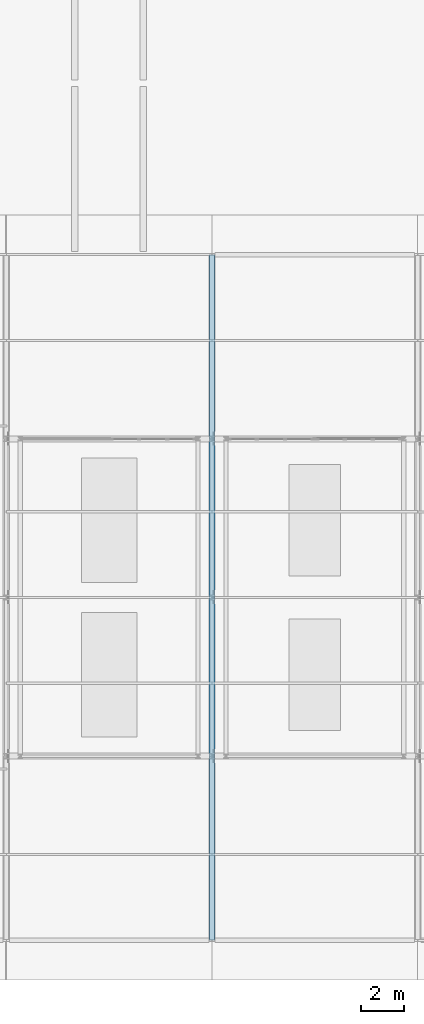
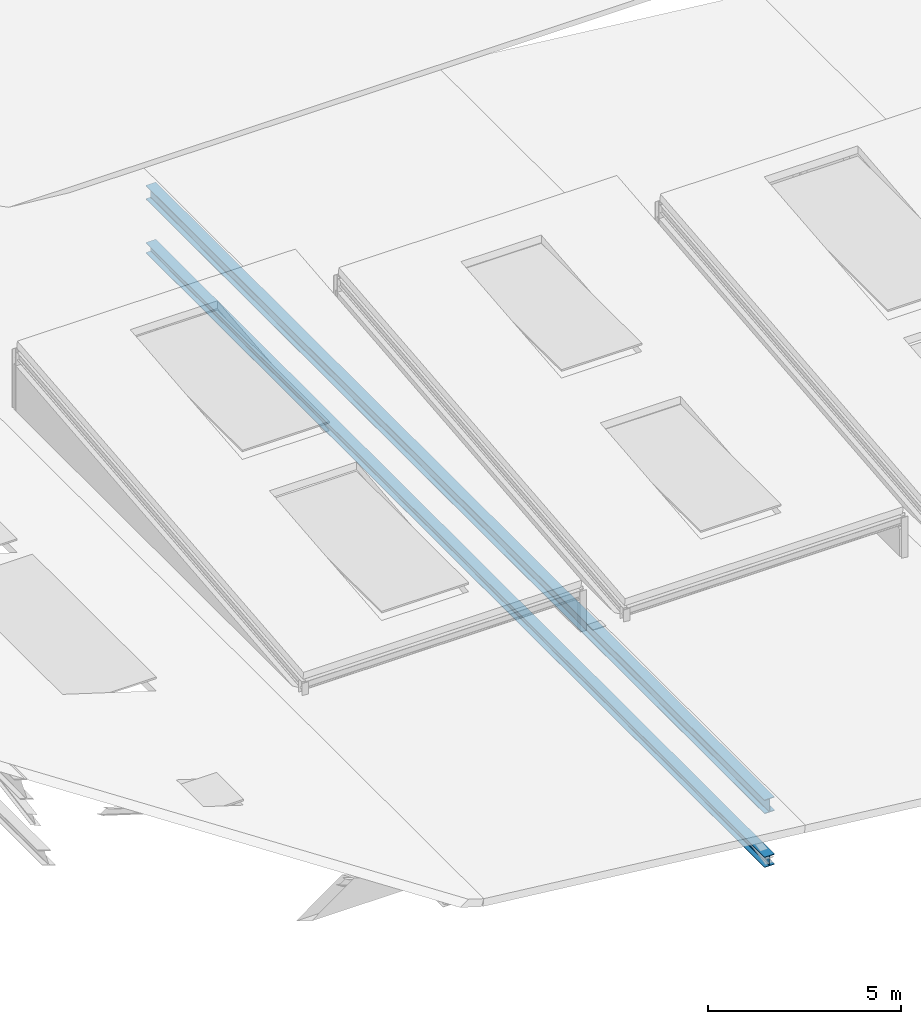
# One storey, part 8 of 30: 2 beams.
"""IFC4 building model written with IfcOpenShell, lengths in metres."""

from ifc_helpers import new_model, si_unit, direction, frame, origin, origin_2d, place, context, subcontext, project, spatial, i_section, extrude, material, material_profile, profile_set, type_object, element, save


model = new_model("IFC4")

# Units and contexts
model_context = context("Model", 3, precision=1e-05, world=origin(), true_north=direction((0.0, 1.0)))
body_context = subcontext(model_context, "Body", "Model", "MODEL_VIEW")
ifc_project = project(units=[si_unit("LENGTHUNIT", "METRE"), si_unit("AREAUNIT", "SQUARE_METRE"), si_unit("VOLUMEUNIT", "CUBIC_METRE"), si_unit("PLANEANGLEUNIT", "RADIAN"), si_unit("MASSUNIT", "GRAM", prefix="KILO")], contexts=[model_context])

# Site, building, storey
site_placement = place(None, origin())
site = spatial("IfcSite", under=ifc_project, at=site_placement, CompositionType="ELEMENT")
building_placement = place(site_placement, origin())
building = spatial("IfcBuilding", under=site, at=building_placement, Name="Alderhovde Museum", CompositionType="ELEMENT")
storey_placement = place(building_placement, frame((0.0, 0.0, 30.699951171875)))
storey = spatial("IfcBuildingStorey", under=building, at=storey_placement, Name="RF", CompositionType="ELEMENT", Elevation=30.699951171875)

# Beams
ifc_material_1 = material(Name="Steel S355J2", Category="steel")
ifc_material_profile_1 = material_profile(ifc_material_1, i_section(OverallWidth=0.300048828125, OverallDepth=0.330078125, WebThickness=0.009521484375, FlangeThickness=0.0166015625, FilletRadius=0.027099609375, at=origin_2d()), Name="HEA 340")
ifc_profile_set_1 = profile_set([ifc_material_profile_1], Name="Steel S355J2")
beam_type_1 = type_object("IfcBeamType", Name="BM-HEA340", PredefinedType="BEAM", material=ifc_profile_set_1)
beam_1_placement = place(storey_placement, frame((28.800048828125, 48.0, -4.558349609375), z_axis=(0.0, 1.0, 0.0), x_axis=(-1.0, 0.0, 0.0)))
element("IfcBeam", 1, at=beam_1_placement, inside=storey, type_object=beam_type_1, Name="Sawtooth Roof Truss X=28.8 Continuous Bottom Chord", PredefinedType="BEAM", context=body_context, shape_type="SweptSolid", body=[
    extrude(i_section(OverallWidth=0.300048828125, OverallDepth=0.330078125, WebThickness=0.009521484375, FlangeThickness=0.0166015625, FilletRadius=0.027099609375, at=origin_2d()), origin(), (0.0, 0.0, 1.0), 32.0),
])
ifc_material_2 = material(Name="Steel S355J2", Category="steel")
ifc_material_profile_2 = material_profile(ifc_material_2, i_section(OverallWidth=0.300048828125, OverallDepth=0.43994140625, WebThickness=0.011474609375, FlangeThickness=0.02099609375, FilletRadius=0.027099609375, at=origin_2d()), Name="HEA 450")
ifc_profile_set_2 = profile_set([ifc_material_profile_2], Name="Steel S355J2")
beam_type_2 = type_object("IfcBeamType", Name="BM-HEA450", PredefinedType="BEAM", material=ifc_profile_set_2)
beam_2_placement = place(storey_placement, frame((28.800048828125, 48.0, -2.808349609375), z_axis=(0.0, 1.0, 0.0), x_axis=(-1.0, 0.0, 0.0)))
element("IfcBeam", 2, at=beam_2_placement, inside=storey, type_object=beam_type_2, Name="Sawtooth Roof Truss X=28.8 Continuous Top Chord", PredefinedType="BEAM", context=body_context, shape_type="SweptSolid", body=[
    extrude(i_section(OverallWidth=0.300048828125, OverallDepth=0.43994140625, WebThickness=0.011474609375, FlangeThickness=0.02099609375, FilletRadius=0.027099609375, at=origin_2d()), origin(), (0.0, 0.0, 1.0), 32.0),
])

save(model, "model.ifc")
